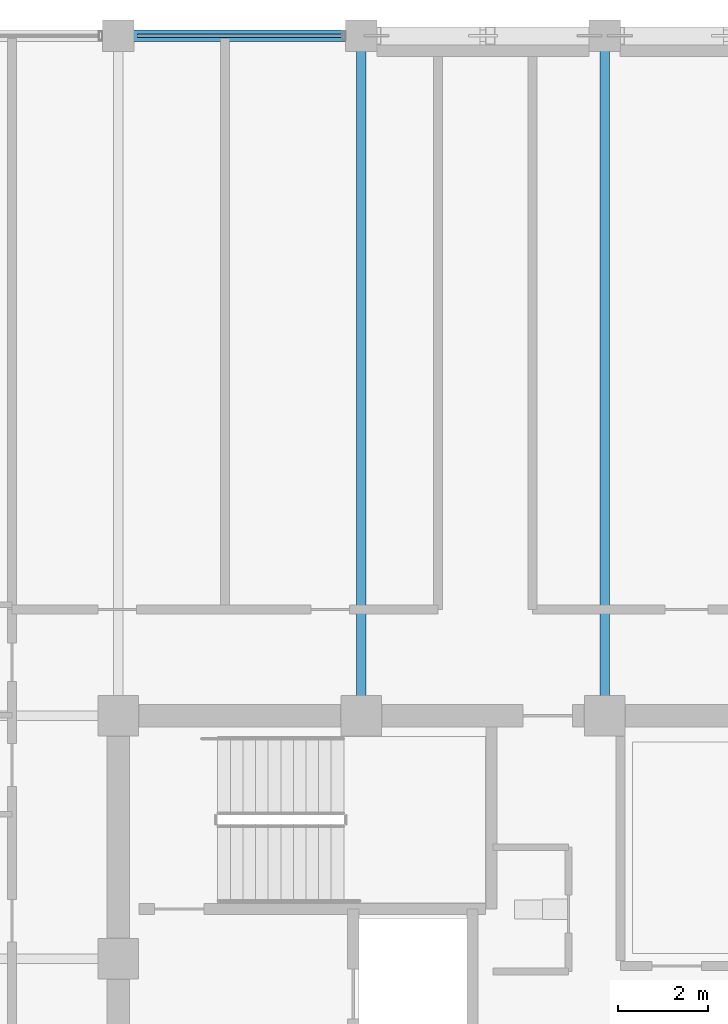
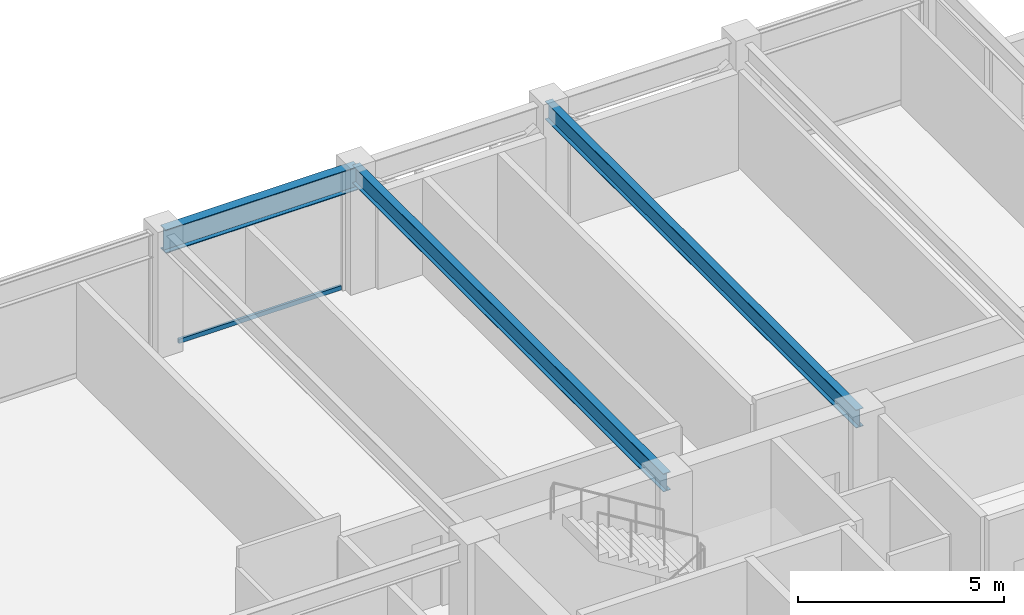
# One storey, part 18 of 31: 3 beams, 1 member, 1 element without a shape of its own.
"""IFC4 building model written with IfcOpenShell, lengths in metres."""

from ifc_helpers import new_model, si_unit, direction, frame, origin, origin_2d, place, context, subcontext, project, spatial, hollow_rectangle, i_section, extrude, material, layer, layer_set, material_profile, profile_set, type_object, element, aggregate, save


model = new_model("IFC4")

# Units and contexts
model_context = context("Model", 3, precision=1e-05, world=origin(), true_north=direction((0.0, 1.0)))
body_context = subcontext(model_context, "Body", "Model", "MODEL_VIEW")
ifc_project = project(units=[si_unit("LENGTHUNIT", "METRE"), si_unit("AREAUNIT", "SQUARE_METRE"), si_unit("VOLUMEUNIT", "CUBIC_METRE"), si_unit("PLANEANGLEUNIT", "RADIAN"), si_unit("MASSUNIT", "GRAM", prefix="KILO")], contexts=[model_context])

# Site, building, storey
site_placement = place(None, origin())
site = spatial("IfcSite", under=ifc_project, at=site_placement, CompositionType="ELEMENT")
building_placement = place(site_placement, origin())
building = spatial("IfcBuilding", under=site, at=building_placement, Name="Surkhivell Harbour Commons", CompositionType="ELEMENT")
storey_placement = place(building_placement, frame((0.0, 0.0, 285.0)))
storey = spatial("IfcBuildingStorey", under=building, at=storey_placement, Name="L74", CompositionType="ELEMENT", Elevation=285.0)

# Beams
ifc_material_1 = material(Name="Steel S355", Category="steel")
ifc_material_profile_1 = material_profile(ifc_material_1, i_section(OverallWidth=0.2099609375, OverallDepth=0.537109375, WebThickness=0.0107421875, FlangeThickness=0.017333984375, at=origin_2d()), Name="UB533x210x101")
ifc_profile_set_1 = profile_set([ifc_material_profile_1], Name="Steel S355")
beam_type_1 = type_object("IfcBeamType", Name="BM-GRD-533B", PredefinedType="BEAM", material=ifc_profile_set_1)
for number, where, z_axis, x_axis, name in (
    (1, (-5.39990234375, 10.800048828125, 3.301513671875), (0.0, 1.0, 0.0), (-1.0, 0.0, 0.0), "L74 Floor Girder (-5.4,10.8)"),
    (2, (0.0, 10.800048828125, 3.301513671875), (0.0, 1.0, 0.0), (-1.0, 0.0, 0.0), "L74 Floor Girder (0.0,10.8)"),
):
    element("IfcBeam", number, at=place(storey_placement, frame(where, z_axis=z_axis, x_axis=x_axis)), inside=storey, type_object=beam_type_1, Name=name, PredefinedType="BEAM", context=body_context, shape_type="SweptSolid", body=[
        extrude(i_section(OverallWidth=0.2099609375, OverallDepth=0.537109375, WebThickness=0.0107421875, FlangeThickness=0.017333984375, at=origin_2d()), origin(), (0.0, 0.0, 1.0), 15.099853515625),
    ])
ifc_material_profile_2 = material_profile(ifc_material_1, i_section(OverallWidth=0.256103515625, OverallDepth=0.693115234375, WebThickness=0.014404296875, FlangeThickness=0.023681640625, at=origin_2d()), Name="UB686x254x170")
ifc_profile_set_2 = profile_set([ifc_material_profile_2], Name="Steel S355")
beam_type_2 = type_object("IfcBeamType", Name="BM-SPN-686", PredefinedType="SPANDREL", material=ifc_profile_set_2)
beam_placement = place(storey_placement, frame((-10.800048828125, 25.89990234375, 3.223388671875), z_axis=(1.0, 0.0, 0.0), x_axis=(0.0, 1.0, 0.0)))
element("IfcBeam", 3, at=beam_placement, inside=storey, type_object=beam_type_2, Name="L74 Tube Spandrel (-10.8,25.9)", PredefinedType="SPANDREL", context=body_context, shape_type="SweptSolid", body=[
    extrude(i_section(OverallWidth=0.256103515625, OverallDepth=0.693115234375, WebThickness=0.014404296875, FlangeThickness=0.023681640625, at=origin_2d()), origin(), (0.0, 0.0, 1.0), 5.400146484375),
])

# Curtain wall, member
ifc_material_2 = material(Name="Anodised pale-metal aluminium and insulated glazing", Category="aluminium")
ifc_layer = layer(ifc_material_2, 0.175048828125)
ifc_layer_set = layer_set([ifc_layer], Name="Anodised pale-metal aluminium and insulated glazing")
curtain_wall_type = type_object("IfcCurtainWallType", Name="CW-SYS-Z4", PredefinedType="NOTDEFINED", material=ifc_layer_set)
curtain_wall_placement = place(storey_placement, origin())
curtain_wall = element("IfcCurtainWall", 4, at=curtain_wall_placement, inside=storey, type_object=curtain_wall_type, Name="L74 Curtain Wall CW-L74-E07S2", PredefinedType="NOTDEFINED")
ifc_material_3 = material(Name="Champagne anodised aluminium alloy 6063-T6", Category="aluminium")
ifc_material_profile_3 = material_profile(ifc_material_3, hollow_rectangle(XDim=0.070068359375, YDim=0.1298828125, WallThickness=0.00341796875, at=origin_2d()), Name="ALU-TRAN-70x130")
ifc_profile_set_3 = profile_set([ifc_material_profile_3], Name="Champagne anodised aluminium alloy 6063-T6")
member_type = type_object("IfcMemberType", Name="CWT-130", PredefinedType="USERDEFINED", material=ifc_profile_set_3)
member_placement = place(storey_placement, frame((-5.826904296875, 25.89990234375, 0.06494140625), z_axis=(-1.0, 0.0, 0.0), x_axis=(0.0, -1.0, 0.0)))
member = element("IfcMember", 5, at=member_placement, type_object=member_type, Name="CW-Z4 transom 1.1", ObjectType="TRANSOM", PredefinedType="USERDEFINED", context=body_context, shape_type="SweptSolid", body=[
    extrude(hollow_rectangle(XDim=0.070068359375, YDim=0.1298828125, WallThickness=0.00341796875, at=origin_2d()), origin(), (0.0, 0.0, 1.0), 4.546142578125),
])
aggregate(curtain_wall, [member])

save(model, "model.ifc")
